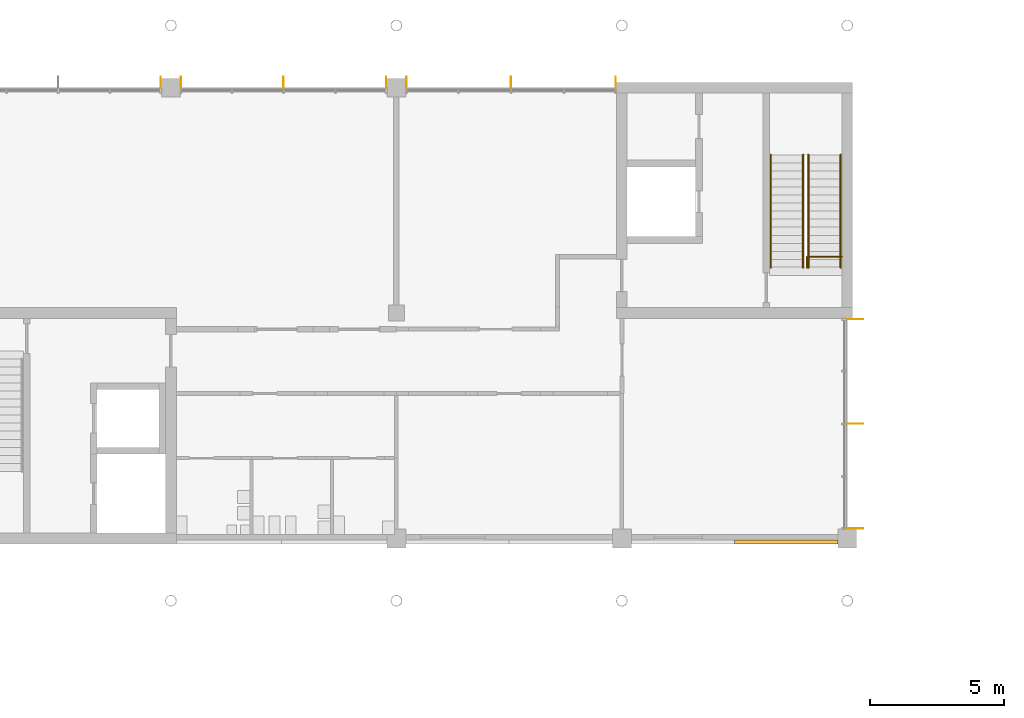
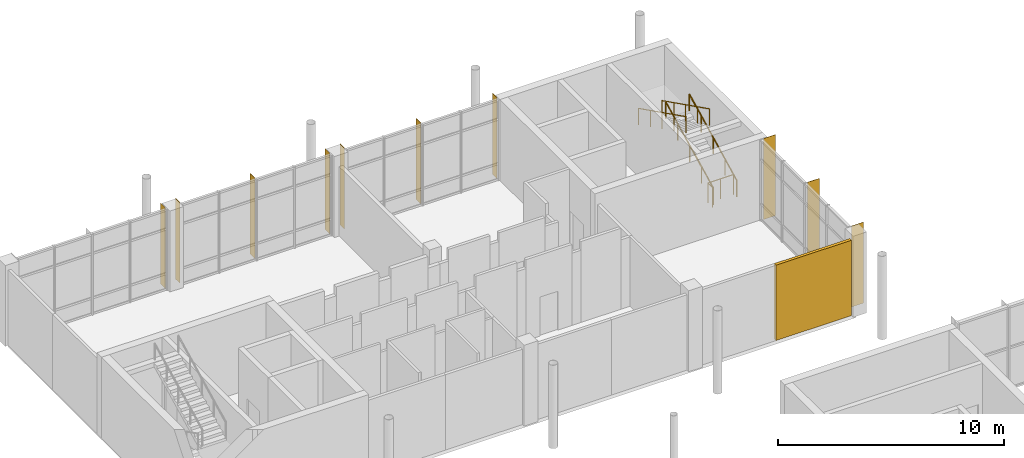
# One storey, part 67 of 70: 11 shading devices, 5 railings.
"""IFC4 building model written with IfcOpenShell, lengths in metres."""

from ifc_helpers import new_model, si_unit, direction, frame, origin, origin_2d, place, context, subcontext, project, spatial, rectangle, circle, extrude, material, layer, layer_set, type_object, element, save


model = new_model("IFC4")

# Units and contexts
model_context = context("Model", 3, precision=1e-05, world=origin(), true_north=direction((0.0, 1.0)))
body_context = subcontext(model_context, "Body", "Model", "MODEL_VIEW")
ifc_project = project(units=[si_unit("LENGTHUNIT", "METRE"), si_unit("AREAUNIT", "SQUARE_METRE"), si_unit("VOLUMEUNIT", "CUBIC_METRE"), si_unit("PLANEANGLEUNIT", "RADIAN"), si_unit("MASSUNIT", "GRAM", prefix="KILO")], contexts=[model_context])

# Site, building, storey
site_placement = place(None, origin())
site = spatial("IfcSite", under=ifc_project, at=site_placement, CompositionType="ELEMENT")
building_placement = place(site_placement, origin())
building = spatial("IfcBuilding", under=site, at=building_placement, Name="Hlaing Beacon Police Headquarters", CompositionType="ELEMENT")
storey_placement = place(building_placement, frame((0.0, 0.0, 5.39990234375)))
storey = spatial("IfcBuildingStorey", under=building, at=storey_placement, Name="L01", CompositionType="ELEMENT", Elevation=5.39990234375)

# Shading devices
ifc_material_1 = material(Name="Aluminium 6063-T5 anodised", Category="aluminium")
ifc_layer_1 = layer(ifc_material_1, 0.011962890625)
ifc_layer_set_1 = layer_set([ifc_layer_1], Name="Aluminium 6063-T5 anodised")
shading_device_type_1 = type_object("IfcShadingDeviceType", Name="Aluminium fin 12x400", PredefinedType="JALOUSIE", material=ifc_layer_set_1)
for number, where, z_axis, x_axis, name in (
    (1, (58.570068359375, 92.60009765625, 0.0), (0.0, 0.0, 1.0), (-1.0, 0.0, 0.0), "Fin L01 N028.0"),
    (2, (54.675048828125, 92.60009765625, 0.0), (0.0, 0.0, 1.0), (-1.0, 0.0, 0.0), "Fin L01 N028.2"),
    (3, (50.780029296875, 92.60009765625, 0.0), (0.0, 0.0, 1.0), (-1.0, 0.0, 0.0), "Fin L01 N028.4"),
    (4, (50.02001953125, 92.60009765625, 0.0), (0.0, 0.0, 1.0), (-1.0, 0.0, 0.0), "Fin L01 N029.0"),
    (5, (46.199951171875, 92.60009765625, 0.0), (0.0, 0.0, 1.0), (-1.0, 0.0, 0.0), "Fin L01 N029.2"),
    (6, (42.3798828125, 92.60009765625, 0.0), (0.0, 0.0, 1.0), (-1.0, 0.0, 0.0), "Fin L01 N029.4"),
    (7, (41.6201171875, 92.60009765625, 0.0), (0.0, 0.0, 1.0), (-1.0, 0.0, 0.0), "Fin L01 N030.0"),
):
    element("IfcShadingDevice", number, at=place(storey_placement, frame(where, z_axis=z_axis, x_axis=x_axis)), inside=storey, type_object=shading_device_type_1, Name=name, PredefinedType="JALOUSIE", context=body_context, shape_type="SweptSolid", body=[
        extrude(rectangle(XDim=0.011962890625, YDim=0.39990234375, at=origin_2d()), origin(), (0.0, 0.0, 1.0), 4.3701171875),
    ])
ifc_material_2 = material(Name="Aluminium 6063-T5 anodised", Category="aluminium")
ifc_layer_2 = layer(ifc_material_2, 0.011962890625)
ifc_layer_set_2 = layer_set([ifc_layer_2], Name="Aluminium 6063-T5 anodised")
shading_device_type_2 = type_object("IfcShadingDeviceType", Name="Aluminium fin 12x600", PredefinedType="JALOUSIE", material=ifc_layer_set_2)
for number, where, z_axis, x_axis, name in (
    (8, (67.5, 75.97998046875, 0.0), (0.0, 0.0, 1.0), (0.0, 1.0, 0.0), "Fin L01 E031.0"),
    (9, (67.5, 79.875, 0.0), (0.0, 0.0, 1.0), (0.0, 1.0, 0.0), "Fin L01 E031.2"),
    (10, (67.5, 83.77001953125, 0.0), (0.0, 0.0, 1.0), (0.0, 1.0, 0.0), "Fin L01 E031.4"),
):
    element("IfcShadingDevice", number, at=place(storey_placement, frame(where, z_axis=z_axis, x_axis=x_axis)), inside=storey, type_object=shading_device_type_2, Name=name, PredefinedType="JALOUSIE", context=body_context, shape_type="SweptSolid", body=[
        extrude(rectangle(XDim=0.011962890625, YDim=0.60009765625, at=origin_2d()), origin(), (0.0, 0.0, 1.0), 4.3701171875),
    ])
ifc_material_3 = material(Name="Perforated aluminium", Category="aluminium")
ifc_layer_3 = layer(ifc_material_3, 0.14990234375)
ifc_layer_set_3 = layer_set([ifc_layer_3], Name="Perforated aluminium")
shading_device_type_3 = type_object("IfcShadingDeviceType", Name="Perforated screen panel 150", PredefinedType="JALOUSIE", material=ifc_layer_set_3)
shading_device_placement = place(storey_placement, frame((64.925048828125, 75.47509765625, 0.0), z_axis=(0.0, 0.0, 1.0), x_axis=(1.0, 0.0, 0.0)))
element("IfcShadingDevice", 11, at=shading_device_placement, inside=storey, type_object=shading_device_type_3, Name="Screen L01 S026", PredefinedType="JALOUSIE", context=body_context, shape_type="SweptSolid", body=[
    extrude(rectangle(XDim=3.85009765625, YDim=0.14990234375, at=origin_2d()), origin(), (0.0, 0.0, 1.0), 4.070068359375),
])

# Railings
ifc_material_4 = material(Name="Stainless steel", Category="steel")
railing_type_1 = type_object("IfcRailingType", Name="Stair guard 1100", PredefinedType="GUARDRAIL", material=ifc_material_4)
railing_placement = place(storey_placement, frame((67.0, 86.10009765625, 0.0)))
element("IfcRailing", 12, at=railing_placement, inside=storey, type_object=railing_type_1, Name="Guard ST-F", PredefinedType="GUARDRAIL", context=body_context, shape_type="SweptSolid", body=[
    extrude(circle(Radius=0.02392578125, at=origin_2d()), frame((0.0, 0.0, 1.076171875), z_axis=(-1.0, 0.0, 0.0), x_axis=(0.0, -1.0, 0.0)), (0.0, 0.0, 1.0), 1.300048828125),
    extrude(circle(Radius=0.02392578125, at=origin_2d()), frame((-1.300048828125, 0.0, 1.076171875), z_axis=(0.0, -1.0, 0.0), x_axis=(1.0, 0.0, 0.0)), (0.0, 0.0, 1.0), 0.400146484375),
    extrude(circle(Radius=0.02099609375, at=origin_2d()), origin(), (0.0, 0.0, 1.0), 1.052001953125),
    extrude(circle(Radius=0.02099609375, at=origin_2d()), frame((-0.64990234375, 0.0, 0.0)), (0.0, 0.0, 1.0), 1.052001953125),
    extrude(circle(Radius=0.02099609375, at=origin_2d()), frame((-1.300048828125, 0.0, 0.0)), (0.0, 0.0, 1.0), 1.052001953125),
    extrude(circle(Radius=0.02099609375, at=origin_2d()), frame((-1.300048828125, -0.400146484375, 0.0)), (0.0, 0.0, 1.0), 1.052001953125),
])
ifc_material_5 = material(Name="Stainless steel", Category="steel")
railing_type_2 = type_object("IfcRailingType", Name="Stair handrail 900", PredefinedType="HANDRAIL", material=ifc_material_5)
for number, where, name in (
    (13, (66.949951171875, 85.699951171875, 0.150146484375), "Handrail ST-F"),
    (14, (65.75, 85.699951171875, 0.150146484375), "Handrail ST-F"),
):
    element("IfcRailing", number, at=place(storey_placement, frame(where)), inside=storey, type_object=railing_type_2, Name=name, PredefinedType="HANDRAIL", context=body_context, shape_type="SweptSolid", body=[
        extrude(circle(Radius=0.02392578125, at=origin_2d()), frame((0.0, 0.0, 0.8759765625), z_axis=(0.0, 0.894437589381, 0.447192798132), x_axis=(-1.0, 0.0, 0.0)), (0.0, 0.0, 1.0), 4.695556640625),
        extrude(circle(Radius=0.02099609375, at=origin_2d()), origin(), (0.0, 0.0, 1.0), 0.851806640625),
        extrude(circle(Radius=0.02099609375, at=origin_2d()), frame((0.0, 1.050048828125, 0.52490234375)), (0.0, 0.0, 1.0), 0.851806640625),
        extrude(circle(Radius=0.02099609375, at=origin_2d()), frame((0.0, 2.10009765625, 1.0498046875)), (0.0, 0.0, 1.0), 0.851806640625),
        extrude(circle(Radius=0.02099609375, at=origin_2d()), frame((0.0, 3.14990234375, 1.574951171875)), (0.0, 0.0, 1.0), 0.851806640625),
        extrude(circle(Radius=0.02099609375, at=origin_2d()), frame((0.0, 4.199951171875, 2.099853515625)), (0.0, 0.0, 1.0), 0.851806640625),
    ])
for number, where, name in (
    (15, (65.550048828125, 89.89990234375, 2.400146484375), "Handrail ST-F"),
    (16, (64.35009765625, 89.89990234375, 2.400146484375), "Handrail ST-F"),
):
    element("IfcRailing", number, at=place(storey_placement, frame(where)), inside=storey, type_object=railing_type_2, Name=name, PredefinedType="HANDRAIL", context=body_context, shape_type="SweptSolid", body=[
        extrude(circle(Radius=0.02392578125, at=origin_2d()), frame((0.0, 0.0, 0.8759765625), z_axis=(0.0, -0.894437589381, 0.447192798132), x_axis=(1.0, 0.0, 0.0)), (0.0, 0.0, 1.0), 4.695556640625),
        extrude(circle(Radius=0.02099609375, at=origin_2d()), origin(), (0.0, 0.0, 1.0), 0.851806640625),
        extrude(circle(Radius=0.02099609375, at=origin_2d()), frame((0.0, -1.050048828125, 0.52490234375)), (0.0, 0.0, 1.0), 0.851806640625),
        extrude(circle(Radius=0.02099609375, at=origin_2d()), frame((0.0, -2.10009765625, 1.0498046875)), (0.0, 0.0, 1.0), 0.851806640625),
        extrude(circle(Radius=0.02099609375, at=origin_2d()), frame((0.0, -3.14990234375, 1.574951171875)), (0.0, 0.0, 1.0), 0.851806640625),
        extrude(circle(Radius=0.02099609375, at=origin_2d()), frame((0.0, -4.199951171875, 2.099853515625)), (0.0, 0.0, 1.0), 0.851806640625),
    ])

save(model, "model.ifc")
